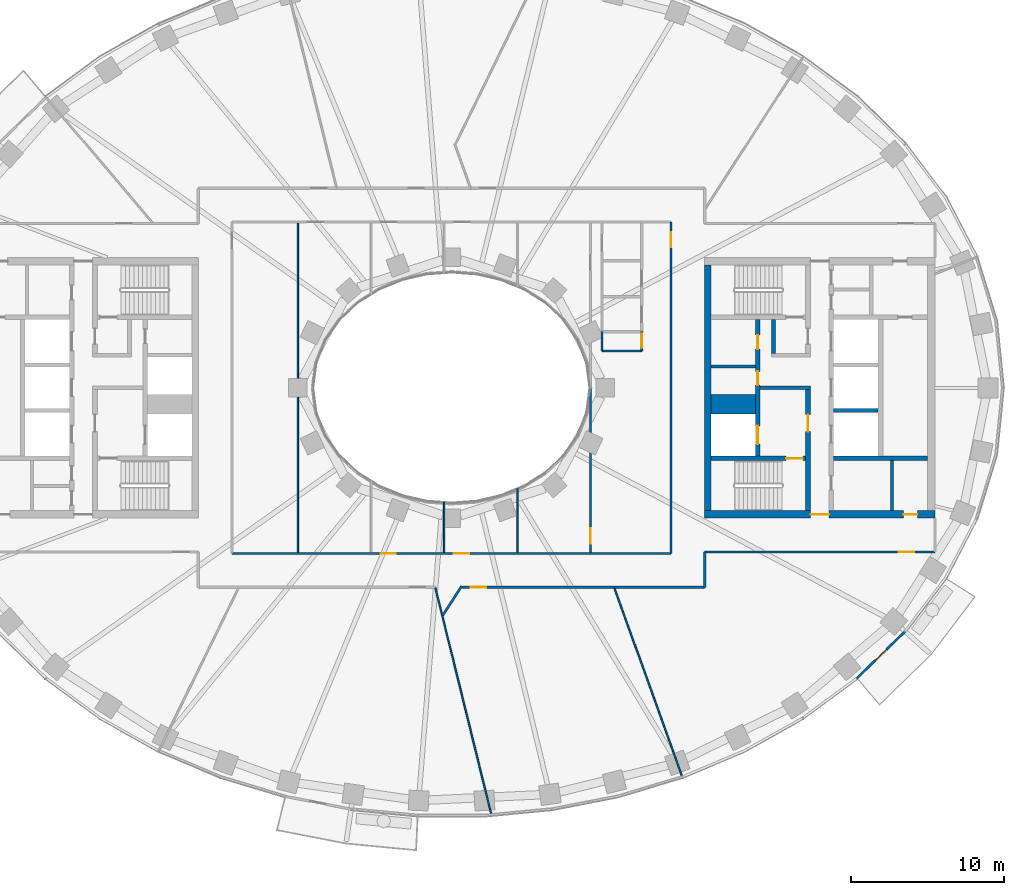
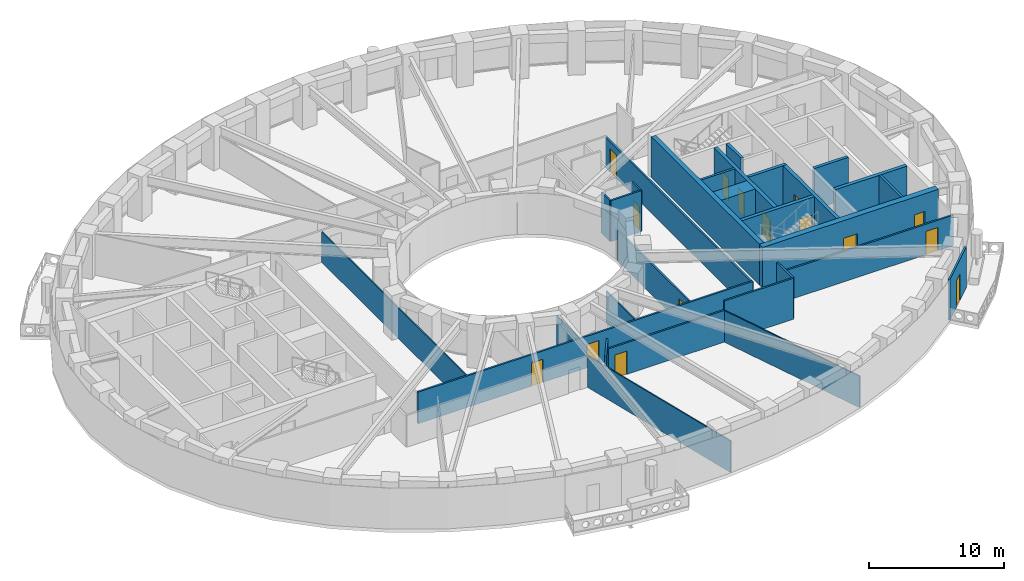
# One storey, part 4 of 16: 29 walls, 15 doors, 15 openings.
"""IFC4 building model written with IfcOpenShell, lengths in metres."""

from ifc_helpers import new_model, si_unit, direction, frame, frame_2d, origin, place, context, subcontext, project, spatial, rectangle, extrude, material, layer, layer_set, type_object, element, fill, save


model = new_model("IFC4")

# Units and contexts
model_context = context("Model", 3, precision=1e-05, world=origin(), true_north=direction((0.0, 1.0)))
body_context = subcontext(model_context, "Body", "Model", "MODEL_VIEW")
ifc_project = project(units=[si_unit("LENGTHUNIT", "METRE"), si_unit("AREAUNIT", "SQUARE_METRE"), si_unit("VOLUMEUNIT", "CUBIC_METRE"), si_unit("PLANEANGLEUNIT", "RADIAN"), si_unit("MASSUNIT", "GRAM", prefix="KILO")], contexts=[model_context])

# Site, building, storey
site_placement = place(None, origin())
site = spatial("IfcSite", under=ifc_project, at=site_placement, CompositionType="ELEMENT")
building_placement = place(site_placement, origin())
building = spatial("IfcBuilding", under=site, at=building_placement, Name="Noorbagh Ring Tower", CompositionType="ELEMENT")
storey_placement = place(building_placement, frame((0.0, 0.0, 100.0)))
storey = spatial("IfcBuildingStorey", under=building, at=storey_placement, Name="L22", CompositionType="ELEMENT", Elevation=100.0)

# Walls
ifc_material_1 = material(Name="Gypsum board on steel studs", Category="steel")
ifc_layer_1 = layer(ifc_material_1, 0.14990234375)
ifc_layer_set_1 = layer_set([ifc_layer_1], Name="Gypsum board on steel studs")
wall_type_1 = type_object("IfcWallType", Name="COMPARTMENT PARTITION 150 EI 60", PredefinedType="PARTITIONING", material=ifc_layer_set_1)
wall_1_placement = place(storey_placement, frame((9.800048828125, 2.404052734375, 0.0), z_axis=(0.0, 0.0, 1.0), x_axis=(0.0, 1.0, 0.0)))
element("IfcWall", 1, at=wall_1_placement, inside=storey, type_object=wall_type_1, Name="L22/wall/P34", PredefinedType="PARTITIONING", context=body_context, shape_type="SweptSolid", body=[
    extrude(rectangle(XDim=1.255859375, YDim=0.14990234375, at=frame_2d((0.6279296875, 0.0))), origin(), (0.0, 0.0, 1.0), 3.699951171875),
])
wall_2_placement = place(storey_placement, frame((9.803955078125, 2.39990234375, 0.0), z_axis=(0.0, 0.0, 1.0), x_axis=(1.0, 0.0, 0.0)))
element("IfcWall", 2, at=wall_2_placement, inside=storey, type_object=wall_type_1, Name="L22/wall/P39", PredefinedType="PARTITIONING", context=body_context, shape_type="SweptSolid", body=[
    extrude(rectangle(XDim=2.595947265625, YDim=0.14990234375, at=frame_2d((1.2978515625, 0.0))), origin(), (0.0, 0.0, 1.0), 3.699951171875),
])

# Wall, opening, door
wall_3_placement = place(storey_placement, frame((12.39990234375, 2.39990234375, 0.0), z_axis=(0.0, 0.0, 1.0), x_axis=(0.0, 1.0, 0.0)))
wall_3 = element("IfcWall", 3, at=wall_3_placement, inside=storey, type_object=wall_type_1, Name="L22/wall/P42", PredefinedType="PARTITIONING", context=body_context, shape_type="SweptSolid", body=[
    extrude(rectangle(XDim=1.260009765625, YDim=0.14990234375, at=frame_2d((0.6298828125, 0.0))), origin(), (0.0, 0.0, 1.0), 3.699951171875),
])
opening_1_placement = place(wall_3_placement, frame((0.2099609375, 0.0, 0.0)))
opening_1 = element("IfcOpeningElement", 4, at=opening_1_placement, cuts=wall_3, Name="Opening D4", PredefinedType="OPENING", context=body_context, shape_type="SweptSolid", body=[
    extrude(rectangle(XDim=0.89990234375, YDim=2.10009765625, at=frame_2d((0.449951171875, 1.050048828125))), frame((0.0, 0.0849609375, 0.0), z_axis=(0.0, -1.0, 0.0), x_axis=(1.0, 0.0, 0.0)), (0.0, 0.0, 1.0), 0.169921875),
])
ifc_material_2 = material(Name="Timber, painted", Category="wood")
door_type_1 = type_object("IfcDoorType", Name="DOOR 900 X 2100 FD60", OperationType="SINGLE_SWING_LEFT", PredefinedType="DOOR", material=ifc_material_2)
door_1_placement = place(opening_1_placement, origin())
door_1 = element("IfcDoor", 5, at=door_1_placement, inside=storey, type_object=door_type_1, Name="L22-D05", OperationType="SINGLE_SWING_LEFT", OverallHeight=2.10009765625, OverallWidth=0.89990234375, PredefinedType="DOOR", context=body_context, shape_type="SweptSolid", body=[
    extrude(rectangle(XDim=0.89990234375, YDim=2.10009765625, at=frame_2d((0.449951171875, 1.050048828125))), frame((0.0, 0.02490234375, 0.0), z_axis=(0.0, -1.0, 0.0), x_axis=(1.0, 0.0, 0.0)), (0.0, 0.0, 1.0), 0.050048828125),
])
fill(opening_1, door_1)

# Walls
ifc_material_3 = material(Name="Gypsum board on steel studs", Category="steel")
ifc_layer_2 = layer(ifc_material_3, 0.199951171875)
ifc_layer_set_2 = layer_set([ifc_layer_2], Name="Gypsum board on steel studs")
wall_type_2 = type_object("IfcWallType", Name="CORE-PARTITION-200", PredefinedType="PARTITIONING", material=ifc_layer_set_2)
wall_4_placement = place(storey_placement, frame((16.89990234375, 1.39990234375, 0.0), z_axis=(0.0, 0.0, 1.0), x_axis=(1.0, 0.0, 0.0)))
element("IfcWall", 6, at=wall_4_placement, inside=storey, type_object=wall_type_2, Name="Core partition E", PredefinedType="PARTITIONING", context=body_context, shape_type="SweptSolid", body=[
    extrude(rectangle(XDim=2.900146484375, YDim=0.199951171875, at=frame_2d((1.4501953125, 0.0))), origin(), (0.0, 0.0, 1.0), 3.699951171875),
])
wall_5_placement = place(storey_placement, frame((28.699951171875, -8.0, 0.0), z_axis=(0.0, 0.0, 1.0), x_axis=(0.0, 1.0, 0.0)))
element("IfcWall", 7, at=wall_5_placement, inside=storey, type_object=wall_type_2, Name="Core partition E", PredefinedType="PARTITIONING", context=body_context, shape_type="SweptSolid", body=[
    extrude(rectangle(XDim=3.25, YDim=0.199951171875, at=frame_2d((1.625, 0.0))), origin(), (0.0, 0.0, 1.0), 3.699951171875),
])
ifc_material_4 = material(Name="Concrete C70/85", Category="concrete")
ifc_layer_3 = layer(ifc_material_4, 1.25)
ifc_layer_set_3 = layer_set([ifc_layer_3], Name="Concrete C70/85")
wall_type_3 = type_object("IfcWallType", Name="CORE-WALL-1250-C70-85-EI120", PredefinedType="SHEAR", material=ifc_layer_set_3)
wall_6_placement = place(storey_placement, frame((16.89990234375, -1.074951171875, 0.0), z_axis=(0.0, 0.0, 1.0), x_axis=(1.0, 0.0, 0.0)))
element("IfcWall", 8, at=wall_6_placement, inside=storey, type_object=wall_type_3, Name="Core wall E", PredefinedType="SHEAR", context=body_context, shape_type="SweptSolid", body=[
    extrude(rectangle(XDim=2.900146484375, YDim=1.25, at=frame_2d((1.4501953125, 0.0))), origin(), (0.0, 0.0, 1.0), 3.699951171875),
])
ifc_material_5 = material(Name="Concrete C70/85", Category="concrete")
ifc_layer_4 = layer(ifc_material_5, 0.25)
ifc_layer_set_4 = layer_set([ifc_layer_4], Name="Concrete C70/85")
wall_type_4 = type_object("IfcWallType", Name="CORE-WALL-250-C70-85-EI120", PredefinedType="SHEAR", material=ifc_layer_set_4)
wall_7_placement = place(storey_placement, frame((24.89990234375, -1.47509765625, 0.0), z_axis=(0.0, 0.0, 1.0), x_axis=(1.0, 0.0, 0.0)))
element("IfcWall", 9, at=wall_7_placement, inside=storey, type_object=wall_type_4, Name="Core wall E", PredefinedType="SHEAR", context=body_context, shape_type="SweptSolid", body=[
    extrude(rectangle(XDim=2.900146484375, YDim=0.25, at=frame_2d((1.4501953125, 0.0))), origin(), (0.0, 0.0, 1.0), 3.699951171875),
])
ifc_material_6 = material(Name="Concrete C70/85", Category="concrete")
ifc_layer_5 = layer(ifc_material_6, 0.25)
ifc_layer_set_5 = layer_set([ifc_layer_5], Name="Concrete C70/85")
wall_type_5 = type_object("IfcWallType", Name="CORE-WALL-250-C70-85-EI240", PredefinedType="SHEAR", material=ifc_layer_set_5)
wall_8_placement = place(storey_placement, frame((20.10009765625, 0.0, 0.0), z_axis=(0.0, 0.0, 1.0), x_axis=(1.0, 0.0, 0.0)))
element("IfcWall", 10, at=wall_8_placement, inside=storey, type_object=wall_type_5, Name="Core wall E", PredefinedType="SHEAR", context=body_context, shape_type="SweptSolid", body=[
    extrude(rectangle(XDim=3.27978515625, YDim=0.25, at=frame_2d((1.639892578125, 0.0))), origin(), (0.0, 0.0, 1.0), 3.699951171875),
])
wall_9_placement = place(storey_placement, frame((20.97509765625, 2.25, 0.0), z_axis=(0.0, 0.0, 1.0), x_axis=(0.0, 1.0, 0.0)))
element("IfcWall", 11, at=wall_9_placement, inside=storey, type_object=wall_type_5, Name="Core wall E", PredefinedType="SHEAR", context=body_context, shape_type="SweptSolid", body=[
    extrude(rectangle(XDim=2.199951171875, YDim=0.25, at=frame_2d((1.10009765625, 0.0))), origin(), (0.0, 0.0, 1.0), 3.699951171875),
])

# Wall, openings, doors
ifc_material_7 = material(Name="Concrete C70/85", Category="concrete")
ifc_layer_6 = layer(ifc_material_7, 0.300048828125)
ifc_layer_set_6 = layer_set([ifc_layer_6], Name="Concrete C70/85")
wall_type_6 = type_object("IfcWallType", Name="CORE-WALL-300-C70-85-EI120", PredefinedType="SHEAR", material=ifc_layer_set_6)
wall_10_placement = place(storey_placement, frame((19.949951171875, -4.449951171875, 0.0), z_axis=(0.0, 0.0, 1.0), x_axis=(0.0, 1.0, 0.0)))
wall_10 = element("IfcWall", 12, at=wall_10_placement, inside=storey, type_object=wall_type_6, Name="Core wall E", PredefinedType="SHEAR", context=body_context, shape_type="SweptSolid", body=[
    extrude(rectangle(XDim=8.89990234375, YDim=0.300048828125, at=frame_2d((4.449951171875, 0.0))), origin(), (0.0, 0.0, 1.0), 3.699951171875),
])
opening_2_placement = place(wall_10_placement, frame((0.77490234375, 0.0, 0.0)))
opening_2 = element("IfcOpeningElement", 13, at=opening_2_placement, cuts=wall_10, Name="Opening L22-CE01", PredefinedType="OPENING", context=body_context, shape_type="SweptSolid", body=[
    extrude(rectangle(XDim=1.199951171875, YDim=2.10009765625, at=frame_2d((0.60009765625, 1.050048828125))), frame((0.0, 0.16015625, 0.0), z_axis=(0.0, -1.0, 0.0), x_axis=(1.0, 0.0, 0.0)), (0.0, 0.0, 1.0), 0.320068359375),
])
opening_3_placement = place(wall_10_placement, frame((4.6201171875, 0.0, 0.0)))
opening_3 = element("IfcOpeningElement", 14, at=opening_3_placement, cuts=wall_10, Name="Opening L22-CE11", PredefinedType="OPENING", context=body_context, shape_type="SweptSolid", body=[
    extrude(rectangle(XDim=0.89990234375, YDim=2.10009765625, at=frame_2d((0.449951171875, 1.050048828125))), frame((0.0, 0.16015625, 0.0), z_axis=(0.0, -1.0, 0.0), x_axis=(1.0, 0.0, 0.0)), (0.0, 0.0, 1.0), 0.320068359375),
])
opening_4_placement = place(wall_10_placement, frame((6.97509765625, 0.0, 0.0)))
opening_4 = element("IfcOpeningElement", 15, at=opening_4_placement, cuts=wall_10, Name="Opening L22-CE12", PredefinedType="OPENING", context=body_context, shape_type="SweptSolid", body=[
    extrude(rectangle(XDim=0.89990234375, YDim=2.10009765625, at=frame_2d((0.449951171875, 1.050048828125))), frame((0.0, 0.16015625, 0.0), z_axis=(0.0, -1.0, 0.0), x_axis=(1.0, 0.0, 0.0)), (0.0, 0.0, 1.0), 0.320068359375),
])
ifc_material_8 = material(Name="Steel door leaf", Category="steel")
door_type_2 = type_object("IfcDoorType", Name="CORE-DOOR-DROOM", OperationType="SINGLE_SWING_LEFT", PredefinedType="DOOR", material=ifc_material_8)
door_2_placement = place(opening_3_placement, origin())
door_2 = element("IfcDoor", 16, at=door_2_placement, inside=storey, type_object=door_type_2, Name="Core room door L22-CE11", OperationType="SINGLE_SWING_LEFT", OverallHeight=2.10009765625, OverallWidth=0.89990234375, PredefinedType="DOOR", context=body_context, shape_type="SweptSolid", body=[
    extrude(rectangle(XDim=0.89990234375, YDim=2.10009765625, at=frame_2d((0.449951171875, 1.050048828125))), frame((0.0, 0.02490234375, 0.0), z_axis=(0.0, -1.0, 0.0), x_axis=(1.0, 0.0, 0.0)), (0.0, 0.0, 1.0), 0.050048828125),
])
fill(opening_3, door_2)
door_3_placement = place(opening_4_placement, origin())
door_3 = element("IfcDoor", 17, at=door_3_placement, inside=storey, type_object=door_type_2, Name="Core room door L22-CE12", OperationType="SINGLE_SWING_RIGHT", OverallHeight=2.10009765625, OverallWidth=0.89990234375, PredefinedType="DOOR", context=body_context, shape_type="SweptSolid", body=[
    extrude(rectangle(XDim=0.89990234375, YDim=2.10009765625, at=frame_2d((0.449951171875, 1.050048828125))), frame((0.0, 0.02490234375, 0.0), z_axis=(0.0, -1.0, 0.0), x_axis=(1.0, 0.0, 0.0)), (0.0, 0.0, 1.0), 0.050048828125),
])
fill(opening_4, door_3)
ifc_material_9 = material(Name="Steel door leaf", Category="steel")
door_type_3 = type_object("IfcDoorType", Name="CORE-DOOR-LDW", OperationType="DOUBLE_DOOR_SLIDING", PredefinedType="DOOR", material=ifc_material_9)
door_4_placement = place(opening_2_placement, origin())
door_4 = element("IfcDoor", 18, at=door_4_placement, inside=storey, type_object=door_type_3, Name="Landing door FF2 L22-CE01", OperationType="DOUBLE_DOOR_SLIDING", OverallHeight=2.10009765625, OverallWidth=1.199951171875, PredefinedType="DOOR", context=body_context, shape_type="SweptSolid", body=[
    extrude(rectangle(XDim=1.199951171875, YDim=2.10009765625, at=frame_2d((0.60009765625, 1.050048828125))), frame((0.0, 0.02490234375, 0.0), z_axis=(0.0, -1.0, 0.0), x_axis=(1.0, 0.0, 0.0)), (0.0, 0.0, 1.0), 0.050048828125),
])
fill(opening_2, door_4)

# Wall
ifc_material_10 = material(Name="Concrete C70/85", Category="concrete")
ifc_layer_7 = layer(ifc_material_10, 0.300048828125)
ifc_layer_set_7 = layer_set([ifc_layer_7], Name="Concrete C70/85")
wall_type_7 = type_object("IfcWallType", Name="CORE-WALL-300-C70-85-EI240", PredefinedType="SHEAR", material=ifc_layer_set_7)
wall_11_placement = place(storey_placement, frame((24.89990234375, -4.60009765625, 0.0), z_axis=(0.0, 0.0, 1.0), x_axis=(1.0, 0.0, 0.0)))
element("IfcWall", 19, at=wall_11_placement, inside=storey, type_object=wall_type_7, Name="Core wall E", PredefinedType="SHEAR", context=body_context, shape_type="SweptSolid", body=[
    extrude(rectangle(XDim=6.10009765625, YDim=0.300048828125, at=frame_2d((3.050048828125, 0.0))), origin(), (0.0, 0.0, 1.0), 3.699951171875),
])

# Wall, opening, door
wall_12_placement = place(storey_placement, frame((23.22998046875, -8.0, 0.0), z_axis=(0.0, 0.0, 1.0), x_axis=(0.0, 1.0, 0.0)))
wall_12 = element("IfcWall", 20, at=wall_12_placement, inside=storey, type_object=wall_type_7, Name="Core wall E", PredefinedType="SHEAR", context=body_context, shape_type="SweptSolid", body=[
    extrude(rectangle(XDim=7.875, YDim=0.300048828125, at=frame_2d((3.9375, 0.0))), origin(), (0.0, 0.0, 1.0), 3.699951171875),
])
opening_5_placement = place(wall_12_placement, frame((5.14990234375, 0.0, 0.0)))
opening_5 = element("IfcOpeningElement", 21, at=opening_5_placement, cuts=wall_12, Name="Opening L22-CE07", PredefinedType="OPENING", context=body_context, shape_type="SweptSolid", body=[
    extrude(rectangle(XDim=1.10009765625, YDim=2.10009765625, at=frame_2d((0.550048828125, 1.050048828125))), frame((0.0, 0.16015625, 0.0), z_axis=(0.0, -1.0, 0.0), x_axis=(1.0, 0.0, 0.0)), (0.0, 0.0, 1.0), 0.320068359375),
])
ifc_material_11 = material(Name="Steel door leaf", Category="steel")
door_type_4 = type_object("IfcDoorType", Name="CORE-DOOR-DFF", OperationType="SINGLE_SWING_LEFT", PredefinedType="DOOR", material=ifc_material_11)
door_5_placement = place(opening_5_placement, origin())
door_5 = element("IfcDoor", 22, at=door_5_placement, inside=storey, type_object=door_type_4, Name="Firefighting lobby door L22-CE07", OperationType="SINGLE_SWING_RIGHT", OverallHeight=2.10009765625, OverallWidth=1.10009765625, PredefinedType="DOOR", context=body_context, shape_type="SweptSolid", body=[
    extrude(rectangle(XDim=1.10009765625, YDim=2.10009765625, at=frame_2d((0.550048828125, 1.050048828125))), frame((0.0, 0.02490234375, 0.0), z_axis=(0.0, -1.0, 0.0), x_axis=(1.0, 0.0, 0.0)), (0.0, 0.0, 1.0), 0.050048828125),
])
fill(opening_5, door_5)

wall_13_placement = place(storey_placement, frame((16.89990234375, -4.60009765625, 0.0), z_axis=(0.0, 0.0, 1.0), x_axis=(1.0, 0.0, 0.0)))
wall_13 = element("IfcWall", 23, at=wall_13_placement, inside=storey, type_object=wall_type_7, Name="Core wall E", PredefinedType="SHEAR", context=body_context, shape_type="SweptSolid", body=[
    extrude(rectangle(XDim=6.18017578125, YDim=0.300048828125, at=frame_2d((3.090087890625, 0.0))), origin(), (0.0, 0.0, 1.0), 3.699951171875),
])
opening_6_placement = place(wall_13_placement, frame((4.89990234375, 0.0, 0.0)))
opening_6 = element("IfcOpeningElement", 24, at=opening_6_placement, cuts=wall_13, Name="Opening L22-CE06", PredefinedType="OPENING", context=body_context, shape_type="SweptSolid", body=[
    extrude(rectangle(XDim=1.10009765625, YDim=2.10009765625, at=frame_2d((0.550048828125, 1.050048828125))), frame((0.0, 0.16015625, 0.0), z_axis=(0.0, -1.0, 0.0), x_axis=(1.0, 0.0, 0.0)), (0.0, 0.0, 1.0), 0.320068359375),
])
ifc_material_12 = material(Name="Steel door leaf", Category="steel")
door_type_5 = type_object("IfcDoorType", Name="CORE-DOOR-DSTAIR", OperationType="SINGLE_SWING_LEFT", PredefinedType="DOOR", material=ifc_material_12)
door_6_placement = place(opening_6_placement, origin())
door_6 = element("IfcDoor", 25, at=door_6_placement, inside=storey, type_object=door_type_5, Name="Stair door ST4 L22-CE06", OperationType="SINGLE_SWING_RIGHT", OverallHeight=2.10009765625, OverallWidth=1.10009765625, PredefinedType="DOOR", context=body_context, shape_type="SweptSolid", body=[
    extrude(rectangle(XDim=1.10009765625, YDim=2.10009765625, at=frame_2d((0.550048828125, 1.050048828125))), frame((0.0, 0.02490234375, 0.0), z_axis=(0.0, -1.0, 0.0), x_axis=(1.0, 0.0, 0.0)), (0.0, 0.0, 1.0), 0.050048828125),
])
fill(opening_6, door_6)

# Wall
ifc_material_13 = material(Name="Concrete C70/85", Category="concrete")
ifc_layer_8 = layer(ifc_material_13, 0.39990234375)
ifc_layer_set_8 = layer_set([ifc_layer_8], Name="Concrete C70/85")
wall_type_8 = type_object("IfcWallType", Name="CORE-WALL-400-C70-85-EI240", PredefinedType="SHEAR", material=ifc_layer_set_8)
wall_14_placement = place(storey_placement, frame((16.699951171875, -8.0, 0.0), z_axis=(0.0, 0.0, 1.0), x_axis=(0.0, 1.0, 0.0)))
element("IfcWall", 26, at=wall_14_placement, inside=storey, type_object=wall_type_8, Name="Core wall E", PredefinedType="SHEAR", context=body_context, shape_type="SweptSolid", body=[
    extrude(rectangle(XDim=16.0, YDim=0.39990234375, at=frame_2d((8.0, 0.0))), origin(), (0.0, 0.0, 1.0), 3.699951171875),
])

# Wall, openings, doors
ifc_material_14 = material(Name="Concrete C70/85", Category="concrete")
ifc_layer_9 = layer(ifc_material_14, 0.5)
ifc_layer_set_9 = layer_set([ifc_layer_9], Name="Concrete C70/85")
wall_type_9 = type_object("IfcWallType", Name="CORE-WALL-500-C70-85-EI240", PredefinedType="SHEAR", material=ifc_layer_set_9)
wall_15_placement = place(storey_placement, frame((16.5, -8.25, 0.0), z_axis=(0.0, 0.0, 1.0), x_axis=(1.0, 0.0, 0.0)))
wall_15 = element("IfcWall", 27, at=wall_15_placement, inside=storey, type_object=wall_type_9, Name="Core wall E", PredefinedType="SHEAR", context=body_context, shape_type="SweptSolid", body=[
    extrude(rectangle(XDim=15.0, YDim=0.5, at=frame_2d((7.5, 0.0))), origin(), (0.0, 0.0, 1.0), 3.699951171875),
])
opening_7_placement = place(wall_15_placement, frame((6.89990234375, 0.0, 0.0)))
opening_7 = element("IfcOpeningElement", 28, at=opening_7_placement, cuts=wall_15, Name="Opening L22-CE10", PredefinedType="OPENING", context=body_context, shape_type="SweptSolid", body=[
    extrude(rectangle(XDim=1.199951171875, YDim=2.10009765625, at=frame_2d((0.60009765625, 1.050048828125))), frame((0.0, 0.260009765625, 0.0), z_axis=(0.0, -1.0, 0.0), x_axis=(1.0, 0.0, 0.0)), (0.0, 0.0, 1.0), 0.52001953125),
])
opening_8_placement = place(wall_15_placement, frame((12.949951171875, 0.0, 0.0)))
opening_8 = element("IfcOpeningElement", 29, at=opening_8_placement, cuts=wall_15, Name="Opening L22-CE17", PredefinedType="OPENING", context=body_context, shape_type="SweptSolid", body=[
    extrude(rectangle(XDim=0.89990234375, YDim=2.10009765625, at=frame_2d((0.449951171875, 1.050048828125))), frame((0.0, 0.260009765625, 0.0), z_axis=(0.0, -1.0, 0.0), x_axis=(1.0, 0.0, 0.0)), (0.0, 0.0, 1.0), 0.52001953125),
])
door_7_placement = place(opening_8_placement, origin())
door_7 = element("IfcDoor", 30, at=door_7_placement, inside=storey, type_object=door_type_2, Name="Core room door L22-CE17", OperationType="SINGLE_SWING_RIGHT", OverallHeight=2.10009765625, OverallWidth=0.89990234375, PredefinedType="DOOR", context=body_context, shape_type="SweptSolid", body=[
    extrude(rectangle(XDim=0.89990234375, YDim=2.10009765625, at=frame_2d((0.449951171875, 1.050048828125))), frame((0.0, 0.02490234375, 0.0), z_axis=(0.0, -1.0, 0.0), x_axis=(1.0, 0.0, 0.0)), (0.0, 0.0, 1.0), 0.050048828125),
])
fill(opening_8, door_7)
ifc_material_15 = material(Name="Steel door leaf", Category="steel")
door_type_6 = type_object("IfcDoorType", Name="CORE-DOOR-PORT", OperationType="DOUBLE_DOOR_DOUBLE_SWING", PredefinedType="DOOR", material=ifc_material_15)
door_8_placement = place(opening_7_placement, origin())
door_8 = element("IfcDoor", 31, at=door_8_placement, inside=storey, type_object=door_type_6, Name="Core entrance door L22-CE10", OperationType="DOUBLE_DOOR_DOUBLE_SWING", OverallHeight=2.10009765625, OverallWidth=1.199951171875, PredefinedType="DOOR", context=body_context, shape_type="SweptSolid", body=[
    extrude(rectangle(XDim=1.199951171875, YDim=2.10009765625, at=frame_2d((0.60009765625, 1.050048828125))), frame((0.0, 0.02490234375, 0.0), z_axis=(0.0, -1.0, 0.0), x_axis=(1.0, 0.0, 0.0)), (0.0, 0.0, 1.0), 0.050048828125),
])
fill(opening_7, door_8)

ifc_material_16 = material(Name="Gypsum board on steel studs", Category="steel")
ifc_layer_10 = layer(ifc_material_16, 0.14990234375)
ifc_layer_set_10 = layer_set([ifc_layer_10], Name="Gypsum board on steel studs")
wall_type_10 = type_object("IfcWallType", Name="CORRIDOR PARTITION 150 EI 30", PredefinedType="PARTITIONING", material=ifc_layer_set_10)
wall_16_placement = place(storey_placement, frame((-14.300048828125, -10.800048828125, 0.0), z_axis=(0.0, 0.0, 1.0), x_axis=(1.0, 0.0, 0.0)))
wall_16 = element("IfcWall", 32, at=wall_16_placement, inside=storey, type_object=wall_type_10, Name="L22/wall/P14", PredefinedType="PARTITIONING", context=body_context, shape_type="SweptSolid", body=[
    extrude(rectangle(XDim=28.60009765625, YDim=0.14990234375, at=frame_2d((14.300048828125, 0.0))), origin(), (0.0, 0.0, 1.0), 2.85009765625),
])
opening_9_placement = place(wall_16_placement, frame((9.673095703125, 0.0, 0.0)))
opening_9 = element("IfcOpeningElement", 33, at=opening_9_placement, cuts=wall_16, Name="Opening D1", PredefinedType="OPENING", context=body_context, shape_type="SweptSolid", body=[
    extrude(rectangle(XDim=1.0, YDim=2.10009765625, at=frame_2d((0.5, 1.050048828125))), frame((0.0, 0.0849609375, 0.0), z_axis=(0.0, -1.0, 0.0), x_axis=(1.0, 0.0, 0.0)), (0.0, 0.0, 1.0), 0.169921875),
])
opening_10_placement = place(wall_16_placement, frame((14.43994140625, 0.0, 0.0)))
opening_10 = element("IfcOpeningElement", 34, at=opening_10_placement, cuts=wall_16, Name="Opening D1", PredefinedType="OPENING", context=body_context, shape_type="SweptSolid", body=[
    extrude(rectangle(XDim=1.0, YDim=2.10009765625, at=frame_2d((0.5, 1.050048828125))), frame((0.0, 0.0849609375, 0.0), z_axis=(0.0, -1.0, 0.0), x_axis=(1.0, 0.0, 0.0)), (0.0, 0.0, 1.0), 0.169921875),
])
ifc_material_17 = material(Name="Timber, painted", Category="wood")
door_type_7 = type_object("IfcDoorType", Name="DOOR 1000 X 2100 FD30", OperationType="SINGLE_SWING_LEFT", PredefinedType="DOOR", material=ifc_material_17)
door_9_placement = place(opening_9_placement, origin())
door_9 = element("IfcDoor", 35, at=door_9_placement, inside=storey, type_object=door_type_7, Name="L22-D18", OperationType="SINGLE_SWING_RIGHT", OverallHeight=2.10009765625, OverallWidth=1.0, PredefinedType="DOOR", context=body_context, shape_type="SweptSolid", body=[
    extrude(rectangle(XDim=1.0, YDim=2.10009765625, at=frame_2d((0.5, 1.050048828125))), frame((0.0, 0.02490234375, 0.0), z_axis=(0.0, -1.0, 0.0), x_axis=(1.0, 0.0, 0.0)), (0.0, 0.0, 1.0), 0.050048828125),
])
fill(opening_9, door_9)
door_10_placement = place(opening_10_placement, origin())
door_10 = element("IfcDoor", 36, at=door_10_placement, inside=storey, type_object=door_type_7, Name="L22-D20", OperationType="SINGLE_SWING_RIGHT", OverallHeight=2.10009765625, OverallWidth=1.0, PredefinedType="DOOR", context=body_context, shape_type="SweptSolid", body=[
    extrude(rectangle(XDim=1.0, YDim=2.10009765625, at=frame_2d((0.5, 1.050048828125))), frame((0.0, 0.02490234375, 0.0), z_axis=(0.0, -1.0, 0.0), x_axis=(1.0, 0.0, 0.0)), (0.0, 0.0, 1.0), 0.050048828125),
])
fill(opening_10, door_10)

# Wall
wall_17_placement = place(storey_placement, frame((-0.571044921875, -14.83203125, 0.0), z_axis=(0.0, 0.0, 1.0), x_axis=(0.542327752696, 0.840167012358, 0.0)))
element("IfcWall", 37, at=wall_17_placement, inside=storey, type_object=wall_type_10, Name="L22/wall/P25", PredefinedType="PARTITIONING", context=body_context, shape_type="SweptSolid", body=[
    extrude(rectangle(XDim=2.269775390625, YDim=0.14990234375, at=frame_2d((1.134765625, 0.0))), origin(), (0.0, 0.0, 1.0), 3.699951171875),
])

# Wall, opening, door
wall_18_placement = place(storey_placement, frame((0.700927734375, -13.0, 0.0), z_axis=(0.0, 0.0, 1.0), x_axis=(1.0, 0.0, 0.0)))
wall_18 = element("IfcWall", 38, at=wall_18_placement, inside=storey, type_object=wall_type_10, Name="L22/wall/P28", PredefinedType="PARTITIONING", context=body_context, shape_type="SweptSolid", body=[
    extrude(rectangle(XDim=9.947021484375, YDim=0.14990234375, at=frame_2d((4.9736328125, 0.0))), origin(), (0.0, 0.0, 1.0), 2.85009765625),
])
opening_11_placement = place(wall_18_placement, frame((0.56103515625, 0.0, 0.0)))
opening_11 = element("IfcOpeningElement", 39, at=opening_11_placement, cuts=wall_18, Name="Opening D1", PredefinedType="OPENING", context=body_context, shape_type="SweptSolid", body=[
    extrude(rectangle(XDim=1.0, YDim=2.10009765625, at=frame_2d((0.5, 1.050048828125))), frame((0.0, 0.0849609375, 0.0), z_axis=(0.0, -1.0, 0.0), x_axis=(1.0, 0.0, 0.0)), (0.0, 0.0, 1.0), 0.169921875),
])
door_11_placement = place(opening_11_placement, origin())
door_11 = element("IfcDoor", 40, at=door_11_placement, inside=storey, type_object=door_type_7, Name="L22-D13", OperationType="SINGLE_SWING_LEFT", OverallHeight=2.10009765625, OverallWidth=1.0, PredefinedType="DOOR", context=body_context, shape_type="SweptSolid", body=[
    extrude(rectangle(XDim=1.0, YDim=2.10009765625, at=frame_2d((0.5, 1.050048828125))), frame((0.0, 0.02490234375, 0.0), z_axis=(0.0, -1.0, 0.0), x_axis=(1.0, 0.0, 0.0)), (0.0, 0.0, 1.0), 0.050048828125),
])
fill(opening_11, door_11)

wall_19_placement = place(storey_placement, frame((9.056884765625, -10.72509765625, 0.0), z_axis=(0.0, 0.0, 1.0), x_axis=(0.0, 1.0, 0.0)))
wall_19 = element("IfcWall", 41, at=wall_19_placement, inside=storey, type_object=wall_type_10, Name="L22/wall/P32", PredefinedType="PARTITIONING", context=body_context, shape_type="SweptSolid", body=[
    extrude(rectangle(XDim=10.68017578125, YDim=0.14990234375, at=frame_2d((5.340087890625, 0.0))), origin(), (0.0, 0.0, 1.0), 2.75),
])
opening_12_placement = place(wall_19_placement, frame((0.570068359375, 0.0, 0.0)))
opening_12 = element("IfcOpeningElement", 42, at=opening_12_placement, cuts=wall_19, Name="Opening D1", PredefinedType="OPENING", context=body_context, shape_type="SweptSolid", body=[
    extrude(rectangle(XDim=1.0, YDim=2.10009765625, at=frame_2d((0.5, 1.050048828125))), frame((0.0, 0.0849609375, 0.0), z_axis=(0.0, -1.0, 0.0), x_axis=(1.0, 0.0, 0.0)), (0.0, 0.0, 1.0), 0.169921875),
])
door_12_placement = place(opening_12_placement, origin())
door_12 = element("IfcDoor", 43, at=door_12_placement, inside=storey, type_object=door_type_7, Name="L22-D22", OperationType="SINGLE_SWING_RIGHT", OverallHeight=2.10009765625, OverallWidth=1.0, PredefinedType="DOOR", context=body_context, shape_type="SweptSolid", body=[
    extrude(rectangle(XDim=1.0, YDim=2.10009765625, at=frame_2d((0.5, 1.050048828125))), frame((0.0, 0.02490234375, 0.0), z_axis=(0.0, -1.0, 0.0), x_axis=(1.0, 0.0, 0.0)), (0.0, 0.0, 1.0), 0.050048828125),
])
fill(opening_12, door_12)

# Wall
wall_20_placement = place(storey_placement, frame((10.60693359375, -13.0, 0.0), z_axis=(0.0, 0.0, 1.0), x_axis=(1.0, 0.0, 0.0)))
element("IfcWall", 44, at=wall_20_placement, inside=storey, type_object=wall_type_10, Name="L22/wall/P41", PredefinedType="PARTITIONING", context=body_context, shape_type="SweptSolid", body=[
    extrude(rectangle(XDim=5.89306640625, YDim=0.14990234375, at=frame_2d((2.946533203125, 0.0))), origin(), (0.0, 0.0, 1.0), 3.699951171875),
])

# Wall, opening, door
wall_21_placement = place(storey_placement, frame((14.300048828125, -10.800048828125, 0.0), z_axis=(0.0, 0.0, 1.0), x_axis=(0.0, 1.0, 0.0)))
wall_21 = element("IfcWall", 45, at=wall_21_placement, inside=storey, type_object=wall_type_10, Name="L22/wall/P44", PredefinedType="PARTITIONING", context=body_context, shape_type="SweptSolid", body=[
    extrude(rectangle(XDim=21.60009765625, YDim=0.14990234375, at=frame_2d((10.800048828125, 0.0))), origin(), (0.0, 0.0, 1.0), 2.75),
])
opening_13_placement = place(wall_21_placement, frame((19.949951171875, 0.0, 0.0)))
opening_13 = element("IfcOpeningElement", 46, at=opening_13_placement, cuts=wall_21, Name="Opening D1", PredefinedType="OPENING", context=body_context, shape_type="SweptSolid", body=[
    extrude(rectangle(XDim=1.0, YDim=2.10009765625, at=frame_2d((0.5, 1.050048828125))), frame((0.0, 0.0849609375, 0.0), z_axis=(0.0, -1.0, 0.0), x_axis=(1.0, 0.0, 0.0)), (0.0, 0.0, 1.0), 0.169921875),
])
door_13_placement = place(opening_13_placement, origin())
door_13 = element("IfcDoor", 47, at=door_13_placement, inside=storey, type_object=door_type_7, Name="L22-D01", OperationType="SINGLE_SWING_LEFT", OverallHeight=2.10009765625, OverallWidth=1.0, PredefinedType="DOOR", context=body_context, shape_type="SweptSolid", body=[
    extrude(rectangle(XDim=1.0, YDim=2.10009765625, at=frame_2d((0.5, 1.050048828125))), frame((0.0, 0.02490234375, 0.0), z_axis=(0.0, -1.0, 0.0), x_axis=(1.0, 0.0, 0.0)), (0.0, 0.0, 1.0), 0.050048828125),
])
fill(opening_13, door_13)

# Wall
wall_22_placement = place(storey_placement, frame((16.5, -13.0, 0.0), z_axis=(0.0, 0.0, 1.0), x_axis=(0.0, 1.0, 0.0)))
element("IfcWall", 48, at=wall_22_placement, inside=storey, type_object=wall_type_10, Name="L22/wall/P45", PredefinedType="PARTITIONING", context=body_context, shape_type="SweptSolid", body=[
    extrude(rectangle(XDim=2.300048828125, YDim=0.14990234375, at=frame_2d((1.14990234375, 0.0))), origin(), (0.0, 0.0, 1.0), 3.699951171875),
])

# Wall, opening, door
wall_23_placement = place(storey_placement, frame((16.5, -10.699951171875, 0.0), z_axis=(0.0, 0.0, 1.0), x_axis=(1.0, 0.0, 0.0)))
wall_23 = element("IfcWall", 49, at=wall_23_placement, inside=storey, type_object=wall_type_10, Name="L22/wall/P46", PredefinedType="PARTITIONING", context=body_context, shape_type="SweptSolid", body=[
    extrude(rectangle(XDim=15.0, YDim=0.14990234375, at=frame_2d((7.5, 0.0))), origin(), (0.0, 0.0, 1.0), 2.75),
])
opening_14_placement = place(wall_23_placement, frame((12.64990234375, 0.0, 0.0)))
opening_14 = element("IfcOpeningElement", 50, at=opening_14_placement, cuts=wall_23, Name="Opening D1", PredefinedType="OPENING", context=body_context, shape_type="SweptSolid", body=[
    extrude(rectangle(XDim=1.0, YDim=2.10009765625, at=frame_2d((0.5, 1.050048828125))), frame((0.0, 0.0849609375, 0.0), z_axis=(0.0, -1.0, 0.0), x_axis=(1.0, 0.0, 0.0)), (0.0, 0.0, 1.0), 0.169921875),
])
door_14_placement = place(opening_14_placement, origin())
door_14 = element("IfcDoor", 51, at=door_14_placement, inside=storey, type_object=door_type_7, Name="L22-D14", OperationType="SINGLE_SWING_RIGHT", OverallHeight=2.10009765625, OverallWidth=1.0, PredefinedType="DOOR", context=body_context, shape_type="SweptSolid", body=[
    extrude(rectangle(XDim=1.0, YDim=2.10009765625, at=frame_2d((0.5, 1.050048828125))), frame((0.0, 0.02490234375, 0.0), z_axis=(0.0, -1.0, 0.0), x_axis=(1.0, 0.0, 0.0)), (0.0, 0.0, 1.0), 0.050048828125),
])
fill(opening_14, door_14)

ifc_material_18 = material(Name="Insulated aluminium clad panel", Category="aluminium")
ifc_layer_11 = layer(ifc_material_18, 0.14990234375)
ifc_layer_set_11 = layer_set([ifc_layer_11], Name="Insulated aluminium clad panel")
wall_type_11 = type_object("IfcWallType", Name="ENV-WALL-DOOR", PredefinedType="STANDARD", material=ifc_layer_set_11)
wall_24_placement = place(storey_placement, frame((26.396484375, -18.943359375, 0.0), z_axis=(0.0, 0.0, 1.0), x_axis=(0.717214761864, 0.696852197647, 0.0)))
wall_24 = element("IfcWall", 52, at=wall_24_placement, inside=storey, type_object=wall_type_11, Name="Balcony door wall chord 42", PredefinedType="STANDARD", context=body_context, shape_type="SweptSolid", body=[
    extrude(rectangle(XDim=4.424072265625, YDim=0.14990234375, at=frame_2d((2.2119140625, 0.0))), origin(), (0.0, 0.0, 1.0), 3.699951171875),
])
opening_15_placement = place(wall_24_placement, frame((1.712158203125, 0.0, 0.0)))
opening_15 = element("IfcOpeningElement", 53, at=opening_15_placement, cuts=wall_24, Name="Opening D-BL", PredefinedType="OPENING", context=body_context, shape_type="SweptSolid", body=[
    extrude(rectangle(XDim=1.0, YDim=2.39990234375, at=frame_2d((0.5, 1.199951171875))), frame((0.0, 0.0849609375, 0.0), z_axis=(0.0, -1.0, 0.0), x_axis=(1.0, 0.0, 0.0)), (0.0, 0.0, 1.0), 0.169921875),
])
ifc_material_19 = material(Name="Aluminium and glass", Category="aluminium")
door_type_8 = type_object("IfcDoorType", Name="ENV-DOOR-BALCONY", OperationType="SINGLE_SWING_LEFT", PredefinedType="DOOR", material=ifc_material_19)
door_15_placement = place(opening_15_placement, origin())
door_15 = element("IfcDoor", 54, at=door_15_placement, inside=storey, type_object=door_type_8, Name="Balcony door chord 42", OperationType="SINGLE_SWING_LEFT", OverallHeight=2.39990234375, OverallWidth=1.0, PredefinedType="DOOR", context=body_context, shape_type="SweptSolid", body=[
    extrude(rectangle(XDim=1.0, YDim=2.39990234375, at=frame_2d((0.5, 1.199951171875))), frame((0.0, 0.02490234375, 0.0), z_axis=(0.0, -1.0, 0.0), x_axis=(1.0, 0.0, 0.0)), (0.0, 0.0, 1.0), 0.050048828125),
])
fill(opening_15, door_15)

# Walls
ifc_material_20 = material(Name="Gypsum board on steel studs", Category="steel")
ifc_layer_12 = layer(ifc_material_20, 0.10009765625)
ifc_layer_set_12 = layer_set([ifc_layer_12], Name="Gypsum board on steel studs")
wall_type_12 = type_object("IfcWallType", Name="PARTITION 100 GYPSUM", PredefinedType="PARTITIONING", material=ifc_layer_set_12)
wall_25_placement = place(storey_placement, frame((-10.010009765625, -10.72509765625, 0.0), z_axis=(0.0, 0.0, 1.0), x_axis=(0.0, 1.0, 0.0)))
element("IfcWall", 55, at=wall_25_placement, inside=storey, type_object=wall_type_12, Name="L22/wall/P17", PredefinedType="PARTITIONING", context=body_context, shape_type="SweptSolid", body=[
    extrude(rectangle(XDim=21.4501953125, YDim=0.10009765625, at=frame_2d((10.72509765625, 0.0))), origin(), (0.0, 0.0, 1.0), 2.75),
])
wall_26_placement = place(storey_placement, frame((-1.052001953125, -13.035888671875, 0.0), z_axis=(0.0, 0.0, 1.0), x_axis=(0.239784207917, -0.97082621186, 0.0)))
element("IfcWall", 56, at=wall_26_placement, inside=storey, type_object=wall_type_12, Name="L22/wall/P21", PredefinedType="PARTITIONING", context=body_context, shape_type="SweptSolid", body=[
    extrude(rectangle(XDim=15.267333984375, YDim=0.10009765625, at=frame_2d((7.6337890625, 0.0))), origin(), (0.0, 0.0, 1.0), 2.85009765625),
])
wall_27_placement = place(storey_placement, frame((-0.47705078125, -10.72509765625, 0.0), z_axis=(0.0, 0.0, 1.0), x_axis=(0.0, 1.0, 0.0)))
element("IfcWall", 57, at=wall_27_placement, inside=storey, type_object=wall_type_12, Name="L22/wall/P22", PredefinedType="PARTITIONING", context=body_context, shape_type="SweptSolid", body=[
    extrude(rectangle(XDim=3.257080078125, YDim=0.10009765625, at=frame_2d((1.62841796875, 0.0))), origin(), (0.0, 0.0, 1.0), 2.89990234375),
])
wall_28_placement = place(storey_placement, frame((4.2900390625, -10.72509765625, 0.0), z_axis=(0.0, 0.0, 1.0), x_axis=(0.0, 1.0, 0.0)))
element("IfcWall", 58, at=wall_28_placement, inside=storey, type_object=wall_type_12, Name="L22/wall/P30", PredefinedType="PARTITIONING", context=body_context, shape_type="SweptSolid", body=[
    extrude(rectangle(XDim=4.156982421875, YDim=0.10009765625, at=frame_2d((2.07861328125, 0.0))), origin(), (0.0, 0.0, 1.0), 2.89990234375),
])
wall_29_placement = place(storey_placement, frame((10.6220703125, -13.074951171875, 0.0), z_axis=(0.0, 0.0, 1.0), x_axis=(0.338388305095, -0.941006564788, 0.0)))
element("IfcWall", 59, at=wall_29_placement, inside=storey, type_object=wall_type_12, Name="L22/wall/P40", PredefinedType="PARTITIONING", context=body_context, shape_type="SweptSolid", body=[
    extrude(rectangle(XDim=13.079833984375, YDim=0.10009765625, at=frame_2d((6.5400390625, 0.0))), origin(), (0.0, 0.0, 1.0), 2.85009765625),
])

save(model, "model.ifc")
